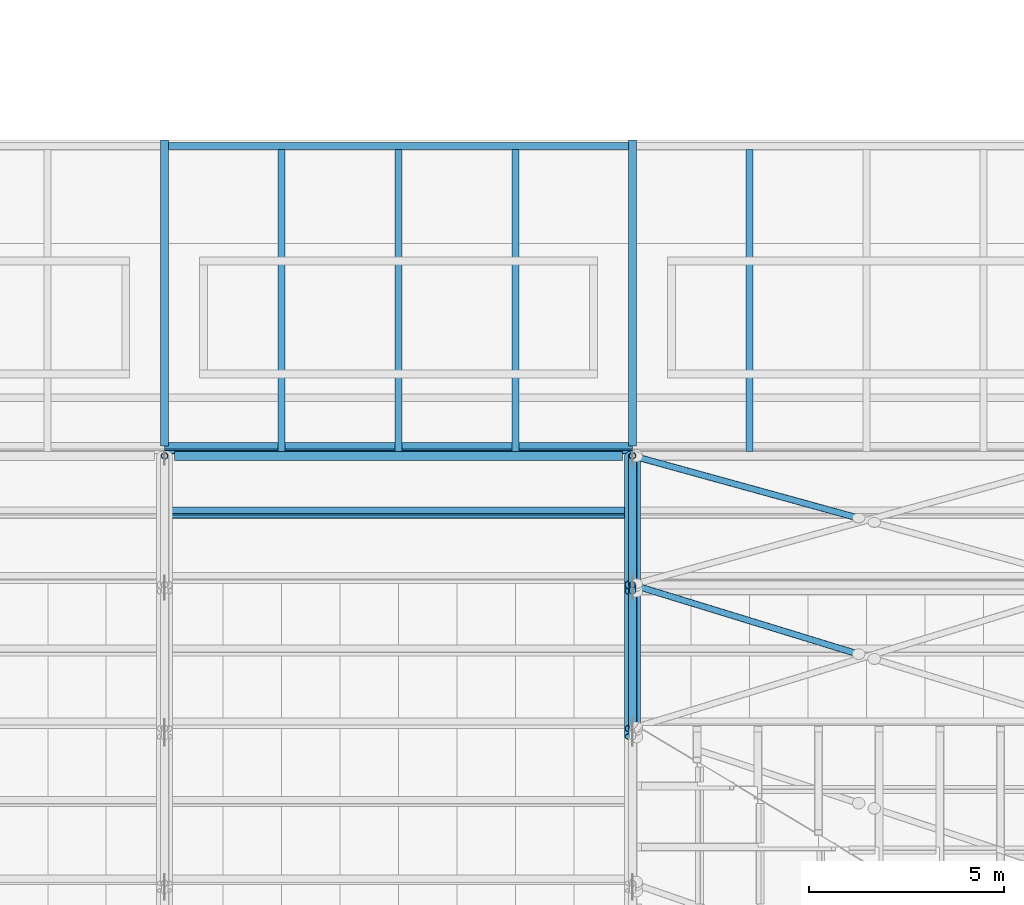
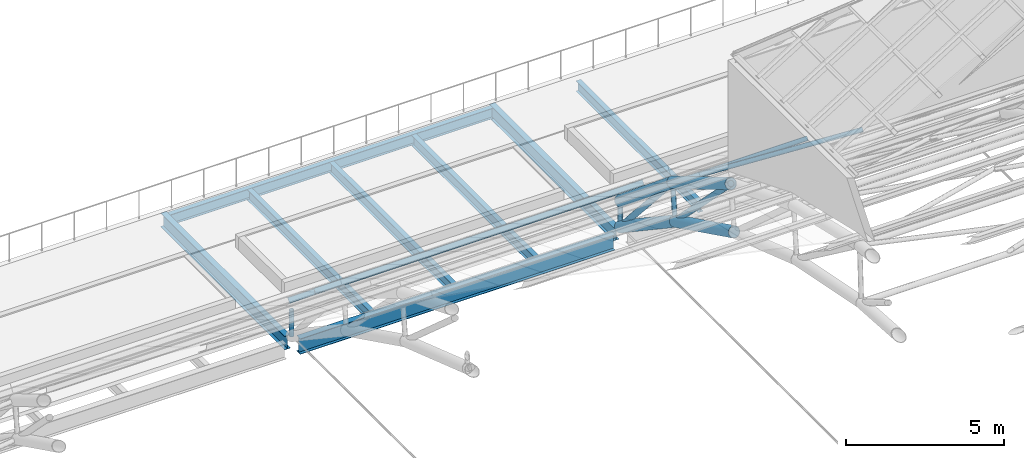
# One storey, part 24 of 110: 13 members, 8 beams.
"""IFC4 building model written with IfcOpenShell, lengths in metres."""

from ifc_helpers import new_model, si_unit, direction, frame, origin, origin_2d, place, context, subcontext, project, spatial, hollow_circle, i_section, extrude, material, material_profile, profile_set, type_object, element, save


model = new_model("IFC4")

# Units and contexts
model_context = context("Model", 3, precision=1e-05, world=origin(), true_north=direction((0.0, 1.0)))
body_context = subcontext(model_context, "Body", "Model", "MODEL_VIEW")
ifc_project = project(units=[si_unit("LENGTHUNIT", "METRE"), si_unit("AREAUNIT", "SQUARE_METRE"), si_unit("VOLUMEUNIT", "CUBIC_METRE"), si_unit("PLANEANGLEUNIT", "RADIAN"), si_unit("MASSUNIT", "GRAM", prefix="KILO")], contexts=[model_context])

# Site, building, storey
site_placement = place(None, origin())
site = spatial("IfcSite", under=ifc_project, at=site_placement, CompositionType="ELEMENT")
building_placement = place(site_placement, origin())
building = spatial("IfcBuilding", under=site, at=building_placement, Name="Windward Yard Aquatics Centre", CompositionType="ELEMENT")
storey_placement = place(building_placement, frame((0.0, 0.0, 22.60009765625)))
storey = spatial("IfcBuildingStorey", under=building, at=storey_placement, Name="L05", CompositionType="ELEMENT", Elevation=22.60009765625)

# Members
ifc_material_1 = material(Name="Steel ASTM A500 Gr C", Category="steel")
ifc_material_profile_1 = material_profile(ifc_material_1, hollow_circle(Radius=0.084228515625, WallThickness=0.010986328125, at=origin_2d()), Name="HSS168.3X11")
ifc_profile_set_1 = profile_set([ifc_material_profile_1], Name="Steel ASTM A500 Gr C")
member_type_1 = type_object("IfcMemberType", Name="H arch post HSS168.3X11", PredefinedType="POST", material=ifc_profile_set_1)
member_1_placement = place(storey_placement, frame((84.0, 80.39990234375, 0.0), z_axis=(0.0, 0.0, 1.0), x_axis=(1.0, 0.0, 0.0)))
element("IfcMember", 1, at=member_1_placement, inside=storey, type_object=member_type_1, Name="H.AT.3.WP11", PredefinedType="POST", context=body_context, shape_type="SweptSolid", body=[
    extrude(hollow_circle(Radius=0.084228515625, WallThickness=0.010986328125, at=origin_2d()), origin(), (0.0, 0.0, 1.0), 1.0),
])
member_2_placement = place(storey_placement, frame((96.0, 76.935302734375, 2.319580078125), z_axis=(0.0, 0.111745510026, 0.993736857015), x_axis=(-1.0, 0.0, 0.0)))
element("IfcMember", 2, at=member_2_placement, inside=storey, type_object=member_type_1, Name="H.AT.4.WP10", PredefinedType="POST", context=body_context, shape_type="SweptSolid", body=[
    extrude(hollow_circle(Radius=0.084228515625, WallThickness=0.010986328125, at=origin_2d()), origin(), (0.0, 0.0, 1.0), 1.406982421875),
])
member_3_placement = place(storey_placement, frame((96.0, 80.39990234375, 0.0), z_axis=(0.0, 0.0, 1.0), x_axis=(1.0, 0.0, 0.0)))
element("IfcMember", 3, at=member_3_placement, inside=storey, type_object=member_type_1, Name="H.AT.4.WP11", PredefinedType="POST", context=body_context, shape_type="SweptSolid", body=[
    extrude(hollow_circle(Radius=0.084228515625, WallThickness=0.010986328125, at=origin_2d()), origin(), (0.0, 0.0, 1.0), 1.0),
])
ifc_material_profile_2 = material_profile(ifc_material_1, hollow_circle(Radius=0.203125, WallThickness=0.015869140625, at=origin_2d()), Name="HSS406.4X15.9")
ifc_profile_set_2 = profile_set([ifc_material_profile_2], Name="Steel ASTM A500 Gr C")
member_type_2 = type_object("IfcMemberType", Name="H arch top chord HSS406.4X15.9", PredefinedType="CHORD", material=ifc_profile_set_2)
member_4_placement = place(storey_placement, frame((96.0, 73.40966796875, 5.900390625), z_axis=(0.0, 0.860273006082, -0.509833654251), x_axis=(-1.0, 0.0, 0.0)))
element("IfcMember", 4, at=member_4_placement, inside=storey, type_object=member_type_2, Name="H.AT.4.TC09", PredefinedType="CHORD", context=body_context, shape_type="SweptSolid", body=[
    extrude(hollow_circle(Radius=0.203125, WallThickness=0.015869140625, at=origin_2d()), origin(), (0.0, 0.0, 1.0), 4.281005859375),
])
member_5_placement = place(storey_placement, frame((96.0, 73.197265625, 4.16650390625), z_axis=(0.0, 0.896536837976, -0.4429691842), x_axis=(-1.0, 0.0, 0.0)))
element("IfcMember", 5, at=member_5_placement, inside=storey, type_object=member_type_2, Name="H.AT.4.BC09", PredefinedType="CHORD", context=body_context, shape_type="SweptSolid", body=[
    extrude(hollow_circle(Radius=0.203125, WallThickness=0.015869140625, at=origin_2d()), origin(), (0.0, 0.0, 1.0), 4.16943359375),
])
member_6_placement = place(storey_placement, frame((96.0, 77.092529296875, 3.7177734375), z_axis=(0.0, 0.772611352747, -0.634879277979), x_axis=(-1.0, 0.0, 0.0)))
element("IfcMember", 6, at=member_6_placement, inside=storey, type_object=member_type_2, Name="H.AT.4.TC10", PredefinedType="CHORD", context=body_context, shape_type="SweptSolid", body=[
    extrude(hollow_circle(Radius=0.203125, WallThickness=0.015869140625, at=origin_2d()), origin(), (0.0, 0.0, 1.0), 4.28076171875),
])
member_7_placement = place(storey_placement, frame((96.0, 76.935302734375, 2.319580078125), z_axis=(0.0, 0.83095865789, -0.556334170151), x_axis=(-1.0, 0.0, 0.0)))
element("IfcMember", 7, at=member_7_placement, inside=storey, type_object=member_type_2, Name="H.AT.4.BC10", PredefinedType="CHORD", context=body_context, shape_type="SweptSolid", body=[
    extrude(hollow_circle(Radius=0.203125, WallThickness=0.015869140625, at=origin_2d()), origin(), (0.0, 0.0, 1.0), 4.16943359375),
])
ifc_material_profile_3 = material_profile(ifc_material_1, hollow_circle(Radius=0.109619140625, WallThickness=0.00830078125, at=origin_2d()), Name="HSS219.1X8.2")
ifc_profile_set_3 = profile_set([ifc_material_profile_3], Name="Steel ASTM A500 Gr C")
member_type_3 = type_object("IfcMemberType", Name="H arch web diagonal HSS219.1X8.2", PredefinedType="BRACE", material=ifc_profile_set_3)
member_8_placement = place(storey_placement, frame((96.0, 73.40966796875, 5.900390625), z_axis=(0.0, 0.701595524129, -0.712575413919), x_axis=(-1.0, 0.0, 0.0)))
element("IfcMember", 8, at=member_8_placement, inside=storey, type_object=member_type_3, Name="H.AT.4.WD09", PredefinedType="BRACE", context=body_context, shape_type="SweptSolid", body=[
    extrude(hollow_circle(Radius=0.109619140625, WallThickness=0.00830078125, at=origin_2d()), origin(), (0.0, 0.0, 1.0), 5.025146484375),
])
member_9_placement = place(storey_placement, frame((96.0, 77.092529296875, 3.7177734375), z_axis=(0.0, 0.664665272452, -0.747141268835), x_axis=(-1.0, 0.0, 0.0)))
element("IfcMember", 9, at=member_9_placement, inside=storey, type_object=member_type_3, Name="H.AT.4.WD10", PredefinedType="BRACE", context=body_context, shape_type="SweptSolid", body=[
    extrude(hollow_circle(Radius=0.109619140625, WallThickness=0.00830078125, at=origin_2d()), origin(), (0.0, 0.0, 1.0), 4.97607421875),
])

# Beam
ifc_material_2 = material(Name="Steel ASTM A992 Gr 50", Category="steel")
ifc_material_profile_4 = material_profile(ifc_material_2, i_section(OverallWidth=0.22802734375, OverallDepth=0.60205078125, WebThickness=0.010498046875, FlangeThickness=0.014892578125, at=origin_2d()), Name="W610X101")
ifc_profile_set_4 = profile_set([ifc_material_profile_4], Name="Steel ASTM A992 Gr 50")
beam_type_1 = type_object("IfcBeamType", Name="H eave girder W610X101", PredefinedType="BEAM", material=ifc_profile_set_4)
beam_1_placement = place(storey_placement, frame((84.25390625, 80.39990234375, -0.451171875), z_axis=(1.0, 0.0, 0.0), x_axis=(0.0, 1.0, 0.0)))
element("IfcBeam", 10, at=beam_1_placement, inside=storey, type_object=beam_type_1, Name="H.EG.N3", PredefinedType="BEAM", context=body_context, shape_type="SweptSolid", body=[
    extrude(i_section(OverallWidth=0.22802734375, OverallDepth=0.60205078125, WebThickness=0.010498046875, FlangeThickness=0.014892578125, at=origin_2d()), origin(), (0.0, 0.0, 1.0), 11.4921875),
])

# Members
ifc_material_profile_5 = material_profile(ifc_material_1, hollow_circle(Radius=0.084228515625, WallThickness=0.007080078125, at=origin_2d()), Name="HSS168.3X7.1")
ifc_profile_set_5 = profile_set([ifc_material_profile_5], Name="Steel ASTM A500 Gr C")
member_type_4 = type_object("IfcMemberType", Name="H roof brace HSS168.3X7.1", PredefinedType="BRACE", material=ifc_profile_set_5)
for number, where, z_axis, x_axis, name in (
    (11, (96.0, 77.092529296875, 3.7177734375), (0.941852913736, -0.28907159229, 0.171320469934), (0.293409548172, 0.955986839366, 0.0), "H.RB.4.T09B1"),
    (12, (96.0, 80.39990234375, 1.0), (0.941869878375, -0.259579962752, 0.213305825397), (0.265694801521, 0.964057193555, 0.0), "H.RB.4.T10B1"),
):
    element("IfcMember", number, at=place(storey_placement, frame(where, z_axis=z_axis, x_axis=x_axis)), inside=storey, type_object=member_type_4, Name=name, PredefinedType="BRACE", context=body_context, shape_type="SweptSolid", body=[
        extrude(hollow_circle(Radius=0.084228515625, WallThickness=0.007080078125, at=origin_2d()), origin(), (0.0, 0.0, 1.0), 6.25732421875),
    ])
ifc_material_profile_6 = material_profile(ifc_material_2, i_section(OverallWidth=0.202880859375, OverallDepth=0.202880859375, WebThickness=0.00732421875, FlangeThickness=0.010986328125, at=origin_2d()), Name="W200X46.1")
ifc_profile_set_6 = profile_set([ifc_material_profile_6], Name="Steel ASTM A992 Gr 50")
member_type_5 = type_object("IfcMemberType", Name="H roof purlin W200X46.1", PredefinedType="PURLIN", material=ifc_profile_set_6)
for number, where, z_axis, x_axis, name in (
    (13, (84.0, 78.939697265625, 2.59423828125), (1.0, 0.0, 0.0), (0.0, 0.772610863417, -0.634879873464), "H.PU.3.20"),
    (14, (84.0, 80.593505859375, 1.2353515625), (1.0, 0.0, 0.0), (0.0, 0.772610863417, -0.634879873464), "H.PU.3.21"),
):
    element("IfcMember", number, at=place(storey_placement, frame(where, z_axis=z_axis, x_axis=x_axis)), inside=storey, type_object=member_type_5, Name=name, PredefinedType="PURLIN", context=body_context, shape_type="SweptSolid", body=[
        extrude(i_section(OverallWidth=0.202880859375, OverallDepth=0.202880859375, WebThickness=0.00732421875, FlangeThickness=0.010986328125, at=origin_2d()), origin(), (0.0, 0.0, 1.0), 12.0),
    ])

# Beams
ifc_material_profile_7 = material_profile(ifc_material_2, i_section(OverallWidth=0.208984375, OverallDepth=0.528076171875, WebThickness=0.009521484375, FlangeThickness=0.01318359375, at=origin_2d()), Name="W530X82")
ifc_profile_set_7 = profile_set([ifc_material_profile_7], Name="Steel ASTM A992 Gr 50")
beam_type_2 = type_object("IfcBeamType", Name="H terrace primary beam W530X82", PredefinedType="BEAM", material=ifc_profile_set_7)
for number, where, z_axis, x_axis, name in (
    (15, (84.0, 88.5, -0.4140625), (0.0, -1.0, 0.0), (1.0, 0.0, 0.0), "H.T2B.N3"),
    (16, (96.0, 88.5, -0.4140625), (0.0, -1.0, 0.0), (1.0, 0.0, 0.0), "H.T2B.N4"),
):
    element("IfcBeam", number, at=place(storey_placement, frame(where, z_axis=z_axis, x_axis=x_axis)), inside=storey, type_object=beam_type_2, Name=name, PredefinedType="BEAM", context=body_context, shape_type="SweptSolid", body=[
        extrude(i_section(OverallWidth=0.208984375, OverallDepth=0.528076171875, WebThickness=0.009521484375, FlangeThickness=0.01318359375, at=origin_2d()), origin(), (0.0, 0.0, 1.0), 7.845947265625),
    ])
ifc_material_profile_8 = material_profile(ifc_material_2, i_section(OverallWidth=0.177978515625, OverallDepth=0.406005859375, WebThickness=0.0078125, FlangeThickness=0.0126953125, at=origin_2d()), Name="W410X60")
ifc_profile_set_8 = profile_set([ifc_material_profile_8], Name="Steel ASTM A992 Gr 50")
beam_type_3 = type_object("IfcBeamType", Name="H terrace secondary beam W410X60", PredefinedType="BEAM", material=ifc_profile_set_8)
beam_2_placement = place(storey_placement, frame((84.1044921875, 88.34228515625, -0.35302734375), z_axis=(1.0, 0.0, 0.0), x_axis=(0.0, 1.0, 0.0)))
element("IfcBeam", 17, at=beam_2_placement, inside=storey, type_object=beam_type_3, Name="H.T2E.N3", PredefinedType="BEAM", context=body_context, shape_type="SweptSolid", body=[
    extrude(i_section(OverallWidth=0.177978515625, OverallDepth=0.406005859375, WebThickness=0.0078125, FlangeThickness=0.0126953125, at=origin_2d()), origin(), (0.0, 0.0, 1.0), 11.791015625),
])
for number, where, z_axis, x_axis, name in (
    (18, (87.0, 88.25341796875, -0.35302734375), (0.0, -1.0, 0.0), (1.0, 0.0, 0.0), "H.T2S.N3.1"),
    (19, (90.0, 88.25341796875, -0.35302734375), (0.0, -1.0, 0.0), (1.0, 0.0, 0.0), "H.T2S.N3.2"),
    (20, (93.0, 88.25341796875, -0.35302734375), (0.0, -1.0, 0.0), (1.0, 0.0, 0.0), "H.T2S.N3.3"),
    (21, (99.0, 88.25341796875, -0.35302734375), (0.0, -1.0, 0.0), (1.0, 0.0, 0.0), "H.T2S.N4.1"),
):
    element("IfcBeam", number, at=place(storey_placement, frame(where, z_axis=z_axis, x_axis=x_axis)), inside=storey, type_object=beam_type_3, Name=name, PredefinedType="BEAM", context=body_context, shape_type="SweptSolid", body=[
        extrude(i_section(OverallWidth=0.177978515625, OverallDepth=0.406005859375, WebThickness=0.0078125, FlangeThickness=0.0126953125, at=origin_2d()), origin(), (0.0, 0.0, 1.0), 7.739501953125),
    ])

save(model, "model.ifc")
